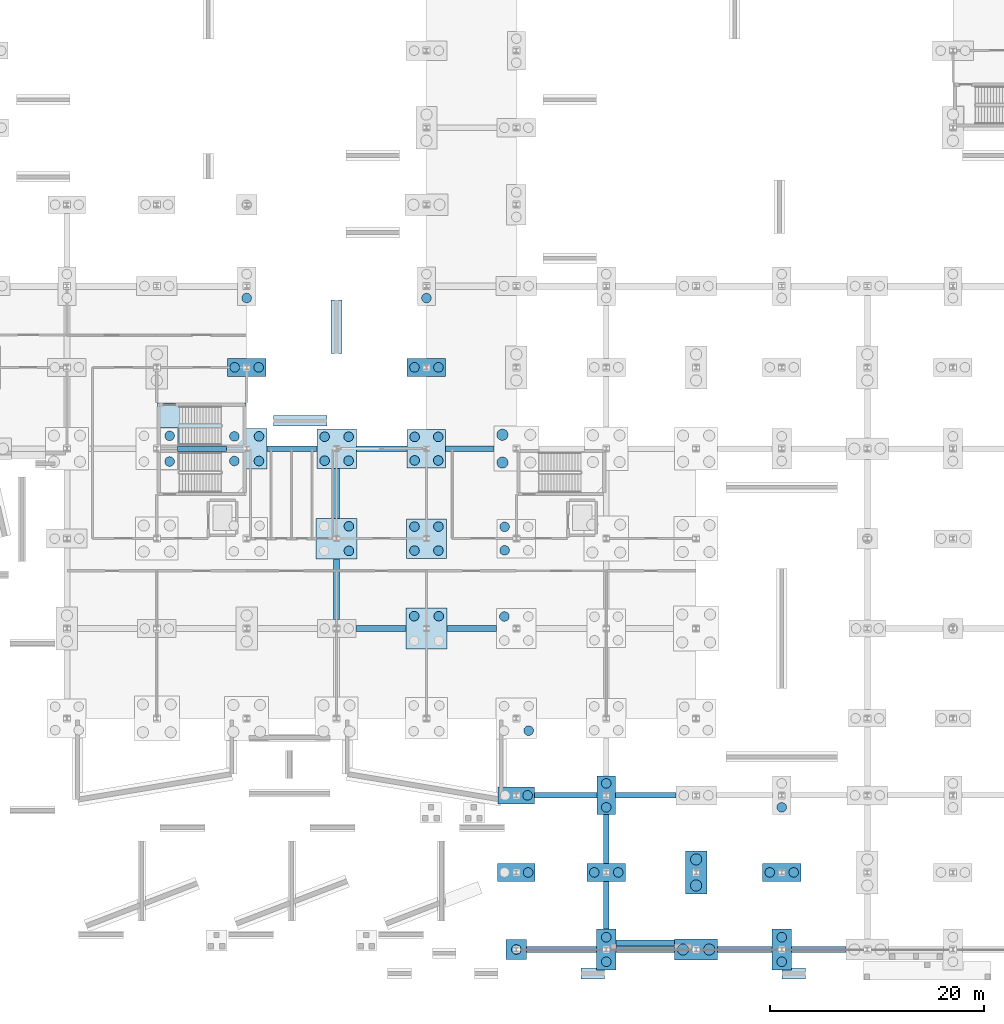
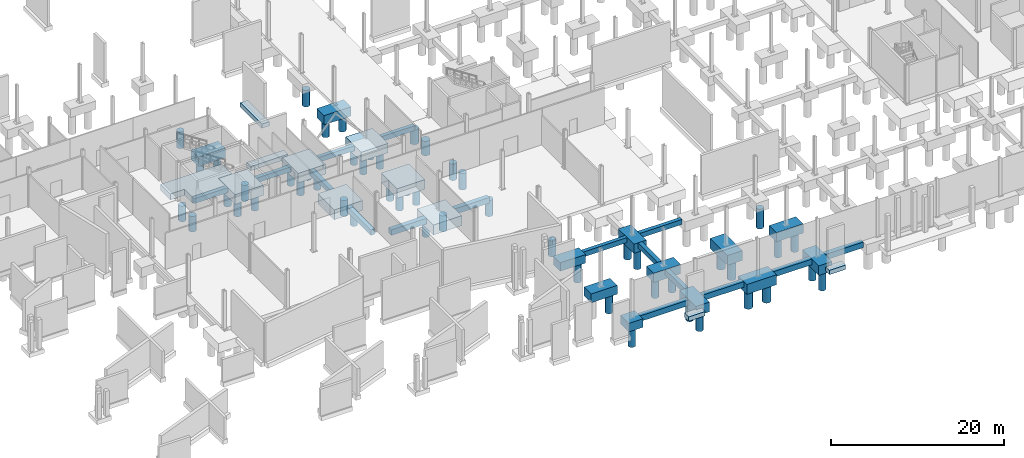
# One storey, part 3 of 61: 52 piles, 40 footings.
"""IFC4 building model written with IfcOpenShell, lengths in metres."""

from ifc_helpers import new_model, si_unit, direction, frame, origin, origin_2d, place, context, subcontext, project, spatial, polyline, rectangle, circle, outline, extrude, material, material_profile, profile_set, type_object, element, save


model = new_model("IFC4")

# Units and contexts
model_context = context("Model", 3, precision=1e-05, world=origin(), true_north=direction((0.0, 1.0)))
body_context = subcontext(model_context, "Body", "Model", "MODEL_VIEW")
ifc_project = project(units=[si_unit("LENGTHUNIT", "METRE"), si_unit("AREAUNIT", "SQUARE_METRE"), si_unit("VOLUMEUNIT", "CUBIC_METRE"), si_unit("PLANEANGLEUNIT", "RADIAN"), si_unit("MASSUNIT", "GRAM", prefix="KILO")], contexts=[model_context])

# Site, building, storey
site_placement = place(None, origin())
site = spatial("IfcSite", under=ifc_project, at=site_placement, CompositionType="ELEMENT")
building_placement = place(site_placement, origin())
building = spatial("IfcBuilding", under=site, at=building_placement, Name="Calvrana Isthmian Art Gallery", CompositionType="ELEMENT")
storey_placement = place(building_placement, frame((0.0, 0.0, -5.39990234375)))
storey = spatial("IfcBuildingStorey", under=building, at=storey_placement, Name="B1", CompositionType="ELEMENT", Elevation=-5.39990234375)

# Footings
ifc_material_1 = material(Name="Concrete C40/50", Category="concrete")
footing_type_1 = type_object("IfcFootingType", Name="FT-MAT-CORE", PredefinedType="PAD_FOOTING", material=ifc_material_1)
footing_1_placement = place(storey_placement, frame((0.0, 0.0, -1.300048828125)))
element("IfcFooting", 1, at=footing_1_placement, inside=storey, type_object=footing_type_1, Name="Core C7 mat footing", PredefinedType="PAD_FOOTING", context=body_context, shape_type="SweptSolid", body=[
    extrude(outline(polyline([(38.320068359375, 51.050048828125), (38.320068359375, 48.739990234375), (36.4599609375, 48.739990234375), (36.4599609375, 46.8798828125), (31.989990234375, 46.8798828125), (31.989990234375, 48.7900390625), (30.080078125, 48.7900390625), (30.080078125, 51.050048828125), (38.320068359375, 51.050048828125)])), origin(), (0.0, 0.0, 1.0), 0.849853515625),
])
ifc_material_2 = material(Name="Concrete C35/45", Category="concrete")
footing_type_2 = type_object("IfcFootingType", Name="FT-PC-170X360X130", PredefinedType="PILE_CAP", material=ifc_material_2)
footing_2_placement = place(storey_placement, frame((72.0, 14.39990234375, -1.30029296875), z_axis=(0.0, 0.0, 1.0), x_axis=(1.0, 0.0, 0.0)))
element("IfcFooting", 2, at=footing_2_placement, inside=storey, type_object=footing_type_2, Name="Pile cap 10/C", PredefinedType="PILE_CAP", context=body_context, shape_type="SweptSolid", body=[
    extrude(rectangle(XDim=1.699951171875, YDim=3.60009765625, at=origin_2d()), origin(), (0.0, 0.0, 1.0), 1.300048828125),
])
footing_type_3 = type_object("IfcFootingType", Name="FT-PC-180X380X135", PredefinedType="PILE_CAP", material=ifc_material_2)
for number, where, z_axis, x_axis, name in (
    (3, (72.0, 0.0, -1.35009765625), (0.0, 0.0, 1.0), (1.0, 0.0, 0.0), "Pile cap 10/A"),
    (4, (88.39990234375, 0.0, -1.35009765625), (0.0, 0.0, 1.0), (1.0, 0.0, 0.0), "Pile cap 12/A"),
):
    element("IfcFooting", number, at=place(storey_placement, frame(where, z_axis=z_axis, x_axis=x_axis)), inside=storey, type_object=footing_type_3, Name=name, PredefinedType="PILE_CAP", context=body_context, shape_type="SweptSolid", body=[
        extrude(rectangle(XDim=1.800048828125, YDim=3.800048828125, at=origin_2d()), origin(), (0.0, 0.0, 1.0), 1.35009765625),
    ])
footing_type_4 = type_object("IfcFootingType", Name="FT-PC-190X190X120", PredefinedType="PILE_CAP", material=ifc_material_2)
footing_3_placement = place(storey_placement, frame((63.60009765625, 0.0, -1.2001953125), z_axis=(0.0, 0.0, 1.0), x_axis=(1.0, 0.0, 0.0)))
element("IfcFooting", 5, at=footing_3_placement, inside=storey, type_object=footing_type_4, Name="Pile cap 09/A", PredefinedType="PILE_CAP", context=body_context, shape_type="SweptSolid", body=[
    extrude(rectangle(XDim=1.89990234375, YDim=1.89990234375, at=origin_2d()), origin(), (0.0, 0.0, 1.0), 1.199951171875),
])
footing_type_5 = type_object("IfcFootingType", Name="FT-PC-200X400X140", PredefinedType="PILE_CAP", material=ifc_material_2)
footing_4_placement = place(storey_placement, frame((80.39990234375, 7.199951171875, -1.400146484375), z_axis=(0.0, 0.0, 1.0), x_axis=(1.0, 0.0, 0.0)))
element("IfcFooting", 6, at=footing_4_placement, inside=storey, type_object=footing_type_5, Name="Pile cap 11/B", PredefinedType="PILE_CAP", context=body_context, shape_type="SweptSolid", body=[
    extrude(rectangle(XDim=2.0, YDim=4.0, at=origin_2d()), origin(), (0.0, 0.0, 1.0), 1.39990234375),
])
footing_type_6 = type_object("IfcFootingType", Name="FT-PC-340X160X120", PredefinedType="PILE_CAP", material=ifc_material_2)
footing_5_placement = place(storey_placement, frame((63.60009765625, 14.39990234375, -1.2001953125), z_axis=(0.0, 0.0, 1.0), x_axis=(1.0, 0.0, 0.0)))
element("IfcFooting", 7, at=footing_5_placement, inside=storey, type_object=footing_type_6, Name="Pile cap 09/C", PredefinedType="PILE_CAP", context=body_context, shape_type="SweptSolid", body=[
    extrude(rectangle(XDim=3.39990234375, YDim=1.60009765625, at=origin_2d()), origin(), (0.0, 0.0, 1.0), 1.199951171875),
])
footing_type_7 = type_object("IfcFootingType", Name="FT-PC-350X165X125", PredefinedType="PILE_CAP", material=ifc_material_2)
footing_6_placement = place(storey_placement, frame((63.60009765625, 7.199951171875, -1.25), z_axis=(0.0, 0.0, 1.0), x_axis=(1.0, 0.0, 0.0)))
element("IfcFooting", 8, at=footing_6_placement, inside=storey, type_object=footing_type_7, Name="Pile cap 09/B", PredefinedType="PILE_CAP", context=body_context, shape_type="SweptSolid", body=[
    extrude(rectangle(XDim=3.5, YDim=1.64990234375, at=origin_2d()), origin(), (0.0, 0.0, 1.0), 1.25),
])
footing_type_8 = type_object("IfcFootingType", Name="FT-PC-360X170X130", PredefinedType="PILE_CAP", material=ifc_material_2)
for number, where, z_axis, x_axis, name in (
    (9, (38.39990234375, 54.39990234375, -1.75), (0.0, 0.0, 1.0), (1.0, 0.0, 0.0), "Pile cap 06/H"),
    (10, (55.199951171875, 54.39990234375, -1.75), (0.0, 0.0, 1.0), (1.0, 0.0, 0.0), "Pile cap 08/H"),
    (11, (72.0, 7.199951171875, -1.30029296875), (0.0, 0.0, 1.0), (1.0, 0.0, 0.0), "Pile cap 10/B"),
    (12, (88.39990234375, 7.199951171875, -1.30029296875), (0.0, 0.0, 1.0), (1.0, 0.0, 0.0), "Pile cap 12/B"),
):
    element("IfcFooting", number, at=place(storey_placement, frame(where, z_axis=z_axis, x_axis=x_axis)), inside=storey, type_object=footing_type_8, Name=name, PredefinedType="PILE_CAP", context=body_context, shape_type="SweptSolid", body=[
        extrude(rectangle(XDim=3.60009765625, YDim=1.699951171875, at=origin_2d()), origin(), (0.0, 0.0, 1.0), 1.300048828125),
    ])
footing_type_9 = type_object("IfcFootingType", Name="FT-PC-360X360X130", PredefinedType="PILE_CAP", material=ifc_material_2)
footing_7_placement = place(storey_placement, frame((55.199951171875, 46.800048828125, -1.75), z_axis=(0.0, 0.0, 1.0), x_axis=(1.0, 0.0, 0.0)))
element("IfcFooting", 13, at=footing_7_placement, inside=storey, type_object=footing_type_9, Name="Pile cap 08/G", PredefinedType="PILE_CAP", context=body_context, shape_type="SweptSolid", body=[
    extrude(rectangle(XDim=3.60009765625, YDim=3.60009765625, at=origin_2d()), origin(), (0.0, 0.0, 1.0), 1.300048828125),
])
footing_type_10 = type_object("IfcFootingType", Name="FT-PC-370X370X135", PredefinedType="PILE_CAP", material=ifc_material_2)
for number, where, z_axis, x_axis, name in (
    (14, (46.800048828125, 46.800048828125, -1.800048828125), (0.0, 0.0, 1.0), (1.0, 0.0, 0.0), "Pile cap 07/G"),
    (15, (55.199951171875, 38.39990234375, -1.800048828125), (0.0, 0.0, 1.0), (1.0, 0.0, 0.0), "Pile cap 08/F"),
):
    element("IfcFooting", number, at=place(storey_placement, frame(where, z_axis=z_axis, x_axis=x_axis)), inside=storey, type_object=footing_type_10, Name=name, PredefinedType="PILE_CAP", context=body_context, shape_type="SweptSolid", body=[
        extrude(rectangle(XDim=3.699951171875, YDim=3.699951171875, at=origin_2d()), origin(), (0.0, 0.0, 1.0), 1.35009765625),
    ])
footing_type_11 = type_object("IfcFootingType", Name="FT-PC-380X380X140", PredefinedType="PILE_CAP", material=ifc_material_2)
for number, where, z_axis, x_axis, name in (
    (16, (38.39990234375, 46.800048828125, -1.85009765625), (0.0, 0.0, 1.0), (1.0, 0.0, 0.0), "Pile cap 06/G"),
    (17, (46.800048828125, 38.39990234375, -1.85009765625), (0.0, 0.0, 1.0), (1.0, 0.0, 0.0), "Pile cap 07/F"),
    (18, (55.199951171875, 30.0, -1.85009765625), (0.0, 0.0, 1.0), (1.0, 0.0, 0.0), "Pile cap 08/E"),
):
    element("IfcFooting", number, at=place(storey_placement, frame(where, z_axis=z_axis, x_axis=x_axis)), inside=storey, type_object=footing_type_11, Name=name, PredefinedType="PILE_CAP", context=body_context, shape_type="SweptSolid", body=[
        extrude(rectangle(XDim=3.800048828125, YDim=3.800048828125, at=origin_2d()), origin(), (0.0, 0.0, 1.0), 1.39990234375),
    ])
footing_type_12 = type_object("IfcFootingType", Name="FT-PC-400X200X140", PredefinedType="PILE_CAP", material=ifc_material_2)
footing_8_placement = place(storey_placement, frame((80.39990234375, 0.0, -1.400146484375), z_axis=(0.0, 0.0, 1.0), x_axis=(1.0, 0.0, 0.0)))
element("IfcFooting", 19, at=footing_8_placement, inside=storey, type_object=footing_type_12, Name="Pile cap 11/A", PredefinedType="PILE_CAP", context=body_context, shape_type="SweptSolid", body=[
    extrude(rectangle(XDim=4.0, YDim=2.0, at=origin_2d()), origin(), (0.0, 0.0, 1.0), 1.39990234375),
])
footing_type_13 = type_object("IfcFootingType", Name="FT-SF-1000X600", PredefinedType="STRIP_FOOTING", material=ifc_material_2)
footing_9_placement = place(storey_placement, frame((0.0, 0.0, -1.050048828125)))
element("IfcFooting", 20, at=footing_9_placement, inside=storey, type_object=footing_type_13, Name="Apron grade wall SLB_CYD_NC_SW-A strip footing", PredefinedType="STRIP_FOOTING", context=body_context, shape_type="SweptSolid", body=[
    extrude(outline(polyline([(40.89990234375, 48.89990234375), (45.89990234375, 48.89990234375), (45.89990234375, 49.89990234375), (40.89990234375, 49.89990234375), (40.89990234375, 48.89990234375)])), origin(), (0.0, 0.0, 1.0), 0.599853515625),
])
footing_10_placement = place(storey_placement, frame((0.0, 0.0, -1.050048828125)))
element("IfcFooting", 21, at=footing_10_placement, inside=storey, type_object=footing_type_13, Name="Apron grade wall SLB_CYD_NC_SW-C strip footing", PredefinedType="STRIP_FOOTING", context=body_context, shape_type="SweptSolid", body=[
    extrude(outline(polyline([(47.300048828125, 55.699951171875), (47.300048828125, 60.699951171875), (46.300048828125, 60.699951171875), (46.300048828125, 55.699951171875), (47.300048828125, 55.699951171875)])), origin(), (0.0, 0.0, 1.0), 0.599853515625),
])
footing_11_placement = place(storey_placement, frame((0.0, 0.0, -1.050048828125)))
element("IfcFooting", 22, at=footing_11_placement, inside=storey, type_object=footing_type_13, Name="Apron grade wall SLB_APR_SE_W-A strip footing", PredefinedType="STRIP_FOOTING", context=body_context, shape_type="SweptSolid", body=[
    extrude(outline(polyline([(71.827880859375, -2.75), (69.6279296875, -2.75), (69.6279296875, -1.75), (71.0849609375, -1.75), (71.0849609375, -1.9150390625), (71.827880859375, -1.9150390625), (71.827880859375, -2.75)])), origin(), (0.0, 0.0, 1.0), 0.599853515625),
])
footing_12_placement = place(storey_placement, frame((0.0, 0.0, -1.050048828125)))
element("IfcFooting", 23, at=footing_12_placement, inside=storey, type_object=footing_type_13, Name="Apron grade wall SLB_APR_SE_W-C strip footing", PredefinedType="STRIP_FOOTING", context=body_context, shape_type="SweptSolid", body=[
    extrude(outline(polyline([(90.6201171875, -1.75), (90.6201171875, -2.75), (88.419921875, -2.75), (88.419921875, -1.9150390625), (89.31494140625, -1.9150390625), (89.31494140625, -1.75), (90.6201171875, -1.75)])), origin(), (0.0, 0.0, 1.0), 0.599853515625),
])
footing_type_14 = type_object("IfcFootingType", Name="FT-SF-1200X650", PredefinedType="STRIP_FOOTING", material=ifc_material_2)
footing_13_placement = place(storey_placement, frame((0.0, 0.0, -1.10009765625)))
element("IfcFooting", 24, at=footing_13_placement, inside=storey, type_object=footing_type_14, Name="Hillside plinth retaining wall RW_B1_V2S strip footing", PredefinedType="STRIP_FOOTING", context=body_context, shape_type="SweptSolid", body=[
    extrude(outline(polyline([(72.9150390625, 0.89990234375), (78.385009765625, 0.89990234375), (78.385009765625, 0.31494140625), (72.9150390625, 0.31494140625), (72.9150390625, 0.89990234375)])), origin(), (0.0, 0.0, 1.0), 0.64990234375),
])
footing_type_15 = type_object("IfcFootingType", Name="FT-TB-500X700", PredefinedType="FOOTING_BEAM", material=ifc_material_2)
footing_14_placement = place(storey_placement, frame((0.0, 0.0, -1.150146484375)))
element("IfcFooting", 25, at=footing_14_placement, inside=storey, type_object=footing_type_15, Name="Footing tie beam X 04-06", PredefinedType="FOOTING_BEAM", context=body_context, shape_type="SweptSolid", body=[
    extrude(outline(polyline([(31.949951171875, 46.550048828125), (36.5, 46.550048828125), (36.5, 47.050048828125), (31.949951171875, 47.050048828125), (31.949951171875, 46.550048828125)])), origin(), (0.0, 0.0, 1.0), 0.699951171875),
])
footing_15_placement = place(storey_placement, frame((0.0, 0.0, -1.150146484375)))
element("IfcFooting", 26, at=footing_15_placement, inside=storey, type_object=footing_type_15, Name="Footing tie beam X 05-06", PredefinedType="FOOTING_BEAM", context=body_context, shape_type="SweptSolid", body=[
    extrude(outline(polyline([(40.300048828125, 46.550048828125), (44.949951171875, 46.550048828125), (44.949951171875, 47.050048828125), (40.300048828125, 47.050048828125), (40.300048828125, 46.550048828125)])), origin(), (0.0, 0.0, 1.0), 0.699951171875),
])
footing_16_placement = place(storey_placement, frame((0.0, 0.0, -1.150146484375)))
element("IfcFooting", 27, at=footing_16_placement, inside=storey, type_object=footing_type_15, Name="Footing tie beam X 06-06", PredefinedType="FOOTING_BEAM", context=body_context, shape_type="SweptSolid", body=[
    extrude(outline(polyline([(48.64990234375, 46.550048828125), (53.39990234375, 46.550048828125), (53.39990234375, 47.050048828125), (48.64990234375, 47.050048828125), (48.64990234375, 46.550048828125)])), origin(), (0.0, 0.0, 1.0), 0.699951171875),
])
footing_17_placement = place(storey_placement, frame((0.0, 0.0, -1.150146484375)))
element("IfcFooting", 28, at=footing_17_placement, inside=storey, type_object=footing_type_15, Name="Footing tie beam X 07-06", PredefinedType="FOOTING_BEAM", context=body_context, shape_type="SweptSolid", body=[
    extrude(outline(polyline([(57.0, 46.550048828125), (61.5, 46.550048828125), (61.5, 47.050048828125), (57.0, 47.050048828125), (57.0, 46.550048828125)])), origin(), (0.0, 0.0, 1.0), 0.699951171875),
])
footing_18_placement = place(storey_placement, frame((0.0, 0.0, -0.7001953125)))
element("IfcFooting", 29, at=footing_18_placement, inside=storey, type_object=footing_type_15, Name="Footing tie beam X 08-02", PredefinedType="FOOTING_BEAM", context=body_context, shape_type="SweptSolid", body=[
    extrude(outline(polyline([(65.300048828125, 14.14990234375), (71.14990234375, 14.14990234375), (71.14990234375, 14.64990234375), (65.300048828125, 14.64990234375), (65.300048828125, 14.14990234375)])), origin(), (0.0, 0.0, 1.0), 0.7001953125),
])
footing_19_placement = place(storey_placement, frame((0.0, 0.0, -0.7001953125)))
element("IfcFooting", 30, at=footing_19_placement, inside=storey, type_object=footing_type_15, Name="Footing tie beam X 09-02", PredefinedType="FOOTING_BEAM", context=body_context, shape_type="SweptSolid", body=[
    extrude(outline(polyline([(72.85009765625, 14.14990234375), (78.5, 14.14990234375), (78.5, 14.64990234375), (72.85009765625, 14.64990234375), (72.85009765625, 14.14990234375)])), origin(), (0.0, 0.0, 1.0), 0.7001953125),
])
footing_type_16 = type_object("IfcFootingType", Name="FT-TB-550X750", PredefinedType="FOOTING_BEAM", material=ifc_material_2)
footing_20_placement = place(storey_placement, frame((0.0, 0.0, -1.2001953125)))
element("IfcFooting", 31, at=footing_20_placement, inside=storey, type_object=footing_type_16, Name="Footing tie beam Y 06-04", PredefinedType="FOOTING_BEAM", context=body_context, shape_type="SweptSolid", body=[
    extrude(outline(polyline([(46.52490234375, 30.85009765625), (47.074951171875, 30.85009765625), (47.074951171875, 36.5), (46.52490234375, 36.5), (46.52490234375, 30.85009765625)])), origin(), (0.0, 0.0, 1.0), 0.75),
])
footing_21_placement = place(storey_placement, frame((0.0, 0.0, -1.2001953125)))
element("IfcFooting", 32, at=footing_21_placement, inside=storey, type_object=footing_type_16, Name="Footing tie beam Y 06-05", PredefinedType="FOOTING_BEAM", context=body_context, shape_type="SweptSolid", body=[
    extrude(outline(polyline([(46.52490234375, 40.300048828125), (47.074951171875, 40.300048828125), (47.074951171875, 44.949951171875), (46.52490234375, 44.949951171875), (46.52490234375, 40.300048828125)])), origin(), (0.0, 0.0, 1.0), 0.75),
])
footing_22_placement = place(storey_placement, frame((0.0, 0.0, -0.75)))
element("IfcFooting", 33, at=footing_22_placement, inside=storey, type_object=footing_type_16, Name="Footing tie beam Y 09-00", PredefinedType="FOOTING_BEAM", context=body_context, shape_type="SweptSolid", body=[
    extrude(outline(polyline([(71.72509765625, 1.89990234375), (72.27490234375, 1.89990234375), (72.27490234375, 6.35009765625), (71.72509765625, 6.35009765625), (71.72509765625, 1.89990234375)])), origin(), (0.0, 0.0, 1.0), 0.75),
])
footing_23_placement = place(storey_placement, frame((0.0, 0.0, -0.75)))
element("IfcFooting", 34, at=footing_23_placement, inside=storey, type_object=footing_type_16, Name="Footing tie beam Y 09-01", PredefinedType="FOOTING_BEAM", context=body_context, shape_type="SweptSolid", body=[
    extrude(outline(polyline([(71.72509765625, 8.050048828125), (72.27490234375, 8.050048828125), (72.27490234375, 12.60009765625), (71.72509765625, 12.60009765625), (71.72509765625, 8.050048828125)])), origin(), (0.0, 0.0, 1.0), 0.75),
])
footing_type_17 = type_object("IfcFootingType", Name="FT-TB-600X800", PredefinedType="FOOTING_BEAM", material=ifc_material_2)
footing_24_placement = place(storey_placement, frame((0.0, 0.0, -1.25)))
element("IfcFooting", 35, at=footing_24_placement, inside=storey, type_object=footing_type_17, Name="Footing tie beam X 06-04", PredefinedType="FOOTING_BEAM", context=body_context, shape_type="SweptSolid", body=[
    extrude(outline(polyline([(48.60009765625, 29.699951171875), (53.300048828125, 29.699951171875), (53.300048828125, 30.300048828125), (48.60009765625, 30.300048828125), (48.60009765625, 29.699951171875)])), origin(), (0.0, 0.0, 1.0), 0.7998046875),
])
footing_25_placement = place(storey_placement, frame((0.0, 0.0, -1.25)))
element("IfcFooting", 36, at=footing_25_placement, inside=storey, type_object=footing_type_17, Name="Footing tie beam X 07-04", PredefinedType="FOOTING_BEAM", context=body_context, shape_type="SweptSolid", body=[
    extrude(outline(polyline([(57.10009765625, 29.699951171875), (61.75, 29.699951171875), (61.75, 30.300048828125), (57.10009765625, 30.300048828125), (57.10009765625, 29.699951171875)])), origin(), (0.0, 0.0, 1.0), 0.7998046875),
])
footing_26_placement = place(storey_placement, frame((0.0, 0.0, -0.800048828125)))
element("IfcFooting", 37, at=footing_26_placement, inside=storey, type_object=footing_type_17, Name="Footing tie beam X 08-00", PredefinedType="FOOTING_BEAM", context=body_context, shape_type="SweptSolid", body=[
    extrude(outline(polyline([(64.550048828125, -0.300048828125), (71.10009765625, -0.300048828125), (71.10009765625, 0.300048828125), (64.550048828125, 0.300048828125), (64.550048828125, -0.300048828125)])), origin(), (0.0, 0.0, 1.0), 0.800048828125),
])
footing_27_placement = place(storey_placement, frame((0.0, 0.0, -0.800048828125)))
element("IfcFooting", 38, at=footing_27_placement, inside=storey, type_object=footing_type_17, Name="Footing tie beam X 09-00", PredefinedType="FOOTING_BEAM", context=body_context, shape_type="SweptSolid", body=[
    extrude(outline(polyline([(72.89990234375, -0.300048828125), (78.39990234375, -0.300048828125), (78.39990234375, 0.300048828125), (72.89990234375, 0.300048828125), (72.89990234375, -0.300048828125)])), origin(), (0.0, 0.0, 1.0), 0.800048828125),
])
footing_28_placement = place(storey_placement, frame((0.0, 0.0, -0.800048828125)))
element("IfcFooting", 39, at=footing_28_placement, inside=storey, type_object=footing_type_17, Name="Footing tie beam X 10-00", PredefinedType="FOOTING_BEAM", context=body_context, shape_type="SweptSolid", body=[
    extrude(outline(polyline([(82.39990234375, -0.300048828125), (87.5, -0.300048828125), (87.5, 0.300048828125), (82.39990234375, 0.300048828125), (82.39990234375, -0.300048828125)])), origin(), (0.0, 0.0, 1.0), 0.800048828125),
])
footing_29_placement = place(storey_placement, frame((0.0, 0.0, -0.800048828125)))
element("IfcFooting", 40, at=footing_29_placement, inside=storey, type_object=footing_type_17, Name="Footing tie beam X 11-00", PredefinedType="FOOTING_BEAM", context=body_context, shape_type="SweptSolid", body=[
    extrude(outline(polyline([(89.300048828125, -0.300048828125), (94.39990234375, -0.300048828125), (94.39990234375, 0.300048828125), (89.300048828125, 0.300048828125), (89.300048828125, -0.300048828125)])), origin(), (0.0, 0.0, 1.0), 0.800048828125),
])

# Piles
ifc_material_profile_1 = material_profile(ifc_material_2, circle(Radius=0.52490234375, at=origin_2d()), Name="PILE1050D")
ifc_profile_set_1 = profile_set([ifc_material_profile_1], Name="Concrete C35/45")
pile_type_1 = type_object("IfcPileType", Name="PILE-D1050", PredefinedType="BORED", material=ifc_profile_set_1)
for number, where, z_axis, x_axis, name in (
    (41, (62.300048828125, 45.5, -1.9501953125), (0.0, 0.0, -1.0), (1.0, 0.0, 0.0), "Bored pile PL-202"),
    (42, (62.300048828125, 48.10009765625, -1.9501953125), (0.0, 0.0, -1.0), (1.0, 0.0, 0.0), "Bored pile PL-204"),
):
    element("IfcPile", number, at=place(storey_placement, frame(where, z_axis=z_axis, x_axis=x_axis)), inside=storey, type_object=pile_type_1, Name=name, PredefinedType="BORED", context=body_context, shape_type="SweptSolid", body=[
        extrude(circle(Radius=0.52490234375, at=origin_2d()), origin(), (0.0, 0.0, 1.0), 2.050048828125),
    ])
for number, where, z_axis, x_axis, name in (
    (43, (79.179931640625, 0.0, -1.300048828125), (0.0, 0.0, -1.0), (1.0, 0.0, 0.0), "Bored pile PL-255"),
    (44, (81.6201171875, 0.0, -1.300048828125), (0.0, 0.0, -1.0), (1.0, 0.0, 0.0), "Bored pile PL-256"),
    (45, (80.39990234375, 5.97998046875, -1.300048828125), (0.0, 0.0, -1.0), (1.0, 0.0, 0.0), "Bored pile PL-257"),
    (46, (80.39990234375, 8.419921875, -1.300048828125), (0.0, 0.0, -1.0), (1.0, 0.0, 0.0), "Bored pile PL-258"),
):
    element("IfcPile", number, at=place(storey_placement, frame(where, z_axis=z_axis, x_axis=x_axis)), inside=storey, type_object=pile_type_1, Name=name, PredefinedType="BORED", context=body_context, shape_type="SweptSolid", body=[
        extrude(circle(Radius=0.52490234375, at=origin_2d()), origin(), (0.0, 0.0, 1.0), 2.699951171875),
    ])
ifc_material_profile_2 = material_profile(ifc_material_2, circle(Radius=0.449951171875, at=origin_2d()), Name="PILE900D")
ifc_profile_set_2 = profile_set([ifc_material_profile_2], Name="Concrete C35/45")
pile_type_2 = type_object("IfcPileType", Name="PILE-D900", PredefinedType="BORED", material=ifc_profile_set_2)
for number, where, z_axis, x_axis, name in (
    (47, (31.199951171875, 45.60009765625, -1.800048828125), (0.0, 0.0, -1.0), (1.0, 0.0, 0.0), "Bored pile PL-091"),
    (48, (31.199951171875, 48.0, -1.800048828125), (0.0, 0.0, -1.0), (1.0, 0.0, 0.0), "Bored pile PL-093"),
):
    element("IfcPile", number, at=place(storey_placement, frame(where, z_axis=z_axis, x_axis=x_axis)), inside=storey, type_object=pile_type_2, Name=name, PredefinedType="BORED", context=body_context, shape_type="SweptSolid", body=[
        extrude(circle(Radius=0.449951171875, at=origin_2d()), origin(), (0.0, 0.0, 1.0), 2.199951171875),
    ])
for number, where, z_axis, x_axis, name in (
    (49, (37.25, 45.64990234375, -1.75), (0.0, 0.0, -1.0), (1.0, 0.0, 0.0), "Bored pile PL-116"),
    (50, (39.550048828125, 45.64990234375, -1.75), (0.0, 0.0, -1.0), (1.0, 0.0, 0.0), "Bored pile PL-117"),
    (51, (37.25, 47.949951171875, -1.75), (0.0, 0.0, -1.0), (1.0, 0.0, 0.0), "Bored pile PL-118"),
    (52, (39.550048828125, 47.949951171875, -1.75), (0.0, 0.0, -1.0), (1.0, 0.0, 0.0), "Bored pile PL-119"),
):
    element("IfcPile", number, at=place(storey_placement, frame(where, z_axis=z_axis, x_axis=x_axis)), inside=storey, type_object=pile_type_2, Name=name, PredefinedType="BORED", context=body_context, shape_type="SweptSolid", body=[
        extrude(circle(Radius=0.449951171875, at=origin_2d()), origin(), (0.0, 0.0, 1.0), 2.25),
    ])
for number, where, z_axis, x_axis, name in (
    (53, (37.280029296875, 54.39990234375, -1.650146484375), (0.0, 0.0, -1.0), (1.0, 0.0, 0.0), "Bored pile PL-120"),
    (54, (39.52001953125, 54.39990234375, -1.650146484375), (0.0, 0.0, -1.0), (1.0, 0.0, 0.0), "Bored pile PL-121"),
    (55, (38.39990234375, 60.8798828125, -1.650146484375), (0.0, 0.0, -1.0), (1.0, 0.0, 0.0), "Bored pile PL-122"),
):
    element("IfcPile", number, at=place(storey_placement, frame(where, z_axis=z_axis, x_axis=x_axis)), inside=storey, type_object=pile_type_2, Name=name, PredefinedType="BORED", context=body_context, shape_type="SweptSolid", body=[
        extrude(circle(Radius=0.449951171875, at=origin_2d()), origin(), (0.0, 0.0, 1.0), 2.35009765625),
    ])
for number, where, z_axis, x_axis, name in (
    (56, (47.949951171875, 37.25, -1.75), (0.0, 0.0, -1.0), (1.0, 0.0, 0.0), "Bored pile PL-138"),
    (57, (47.949951171875, 39.550048828125, -1.75), (0.0, 0.0, -1.0), (1.0, 0.0, 0.0), "Bored pile PL-140"),
):
    element("IfcPile", number, at=place(storey_placement, frame(where, z_axis=z_axis, x_axis=x_axis)), inside=storey, type_object=pile_type_2, Name=name, PredefinedType="BORED", context=body_context, shape_type="SweptSolid", body=[
        extrude(circle(Radius=0.449951171875, at=origin_2d()), origin(), (0.0, 0.0, 1.0), 2.25),
    ])
for number, where, z_axis, x_axis, name in (
    (58, (45.679931640625, 45.679931640625, -1.7001953125), (0.0, 0.0, -1.0), (1.0, 0.0, 0.0), "Bored pile PL-141"),
    (59, (47.919921875, 45.679931640625, -1.7001953125), (0.0, 0.0, -1.0), (1.0, 0.0, 0.0), "Bored pile PL-142"),
    (60, (45.679931640625, 47.919921875, -1.7001953125), (0.0, 0.0, -1.0), (1.0, 0.0, 0.0), "Bored pile PL-143"),
    (61, (47.919921875, 47.919921875, -1.7001953125), (0.0, 0.0, -1.0), (1.0, 0.0, 0.0), "Bored pile PL-144"),
):
    element("IfcPile", number, at=place(storey_placement, frame(where, z_axis=z_axis, x_axis=x_axis)), inside=storey, type_object=pile_type_2, Name=name, PredefinedType="BORED", context=body_context, shape_type="SweptSolid", body=[
        extrude(circle(Radius=0.449951171875, at=origin_2d()), origin(), (0.0, 0.0, 1.0), 2.300048828125),
    ])
for number, where, z_axis, x_axis, name in (
    (62, (54.050048828125, 31.14990234375, -1.75), (0.0, 0.0, -1.0), (1.0, 0.0, 0.0), "Bored pile PL-157"),
    (63, (56.35009765625, 31.14990234375, -1.75), (0.0, 0.0, -1.0), (1.0, 0.0, 0.0), "Bored pile PL-158"),
):
    element("IfcPile", number, at=place(storey_placement, frame(where, z_axis=z_axis, x_axis=x_axis)), inside=storey, type_object=pile_type_2, Name=name, PredefinedType="BORED", context=body_context, shape_type="SweptSolid", body=[
        extrude(circle(Radius=0.449951171875, at=origin_2d()), origin(), (0.0, 0.0, 1.0), 2.25),
    ])
for number, where, z_axis, x_axis, name in (
    (64, (54.080078125, 37.280029296875, -1.7001953125), (0.0, 0.0, -1.0), (1.0, 0.0, 0.0), "Bored pile PL-159"),
    (65, (56.320068359375, 37.280029296875, -1.7001953125), (0.0, 0.0, -1.0), (1.0, 0.0, 0.0), "Bored pile PL-160"),
    (66, (54.080078125, 39.52001953125, -1.7001953125), (0.0, 0.0, -1.0), (1.0, 0.0, 0.0), "Bored pile PL-161"),
    (67, (56.320068359375, 39.52001953125, -1.7001953125), (0.0, 0.0, -1.0), (1.0, 0.0, 0.0), "Bored pile PL-162"),
):
    element("IfcPile", number, at=place(storey_placement, frame(where, z_axis=z_axis, x_axis=x_axis)), inside=storey, type_object=pile_type_2, Name=name, PredefinedType="BORED", context=body_context, shape_type="SweptSolid", body=[
        extrude(circle(Radius=0.449951171875, at=origin_2d()), origin(), (0.0, 0.0, 1.0), 2.300048828125),
    ])
for number, where, z_axis, x_axis, name in (
    (68, (54.10009765625, 45.699951171875, -1.650146484375), (0.0, 0.0, -1.0), (1.0, 0.0, 0.0), "Bored pile PL-163"),
    (69, (56.300048828125, 45.699951171875, -1.650146484375), (0.0, 0.0, -1.0), (1.0, 0.0, 0.0), "Bored pile PL-164"),
    (70, (54.10009765625, 47.89990234375, -1.650146484375), (0.0, 0.0, -1.0), (1.0, 0.0, 0.0), "Bored pile PL-165"),
    (71, (56.300048828125, 47.89990234375, -1.650146484375), (0.0, 0.0, -1.0), (1.0, 0.0, 0.0), "Bored pile PL-166"),
    (72, (54.080078125, 54.39990234375, -1.650146484375), (0.0, 0.0, -1.0), (1.0, 0.0, 0.0), "Bored pile PL-167"),
    (73, (56.320068359375, 54.39990234375, -1.650146484375), (0.0, 0.0, -1.0), (1.0, 0.0, 0.0), "Bored pile PL-168"),
    (74, (55.199951171875, 60.8798828125, -1.650146484375), (0.0, 0.0, -1.0), (1.0, 0.0, 0.0), "Bored pile PL-169"),
):
    element("IfcPile", number, at=place(storey_placement, frame(where, z_axis=z_axis, x_axis=x_axis)), inside=storey, type_object=pile_type_2, Name=name, PredefinedType="BORED", context=body_context, shape_type="SweptSolid", body=[
        extrude(circle(Radius=0.449951171875, at=origin_2d()), origin(), (0.0, 0.0, 1.0), 2.35009765625),
    ])
pile_1_placement = place(storey_placement, frame((63.60009765625, 0.0, -1.10009765625), z_axis=(0.0, 0.0, -1.0), x_axis=(1.0, 0.0, 0.0)))
element("IfcPile", 75, at=pile_1_placement, inside=storey, type_object=pile_type_2, Name="Bored pile PL-185", PredefinedType="BORED", context=body_context, shape_type="SweptSolid", body=[
    extrude(circle(Radius=0.449951171875, at=origin_2d()), origin(), (0.0, 0.0, 1.0), 2.89990234375),
])
pile_2_placement = place(storey_placement, frame((64.699951171875, 7.199951171875, -1.150146484375), z_axis=(0.0, 0.0, -1.0), x_axis=(1.0, 0.0, 0.0)))
element("IfcPile", 76, at=pile_2_placement, inside=storey, type_object=pile_type_2, Name="Bored pile PL-187", PredefinedType="BORED", context=body_context, shape_type="SweptSolid", body=[
    extrude(circle(Radius=0.449951171875, at=origin_2d()), origin(), (0.0, 0.0, 1.0), 2.85009765625),
])
pile_3_placement = place(storey_placement, frame((64.64990234375, 14.39990234375, -1.10009765625), z_axis=(0.0, 0.0, -1.0), x_axis=(1.0, 0.0, 0.0)))
element("IfcPile", 77, at=pile_3_placement, inside=storey, type_object=pile_type_2, Name="Bored pile PL-189", PredefinedType="BORED", context=body_context, shape_type="SweptSolid", body=[
    extrude(circle(Radius=0.449951171875, at=origin_2d()), origin(), (0.0, 0.0, 1.0), 2.89990234375),
])
pile_4_placement = place(storey_placement, frame((64.75, 20.449951171875, -1.75), z_axis=(0.0, 0.0, -1.0), x_axis=(1.0, 0.0, 0.0)))
element("IfcPile", 78, at=pile_4_placement, inside=storey, type_object=pile_type_2, Name="Bored pile PL-191", PredefinedType="BORED", context=body_context, shape_type="SweptSolid", body=[
    extrude(circle(Radius=0.449951171875, at=origin_2d()), origin(), (0.0, 0.0, 1.0), 2.25),
])
pile_5_placement = place(storey_placement, frame((62.47998046875, 31.1201171875, -1.7001953125), z_axis=(0.0, 0.0, -1.0), x_axis=(1.0, 0.0, 0.0)))
element("IfcPile", 79, at=pile_5_placement, inside=storey, type_object=pile_type_2, Name="Bored pile PL-196", PredefinedType="BORED", context=body_context, shape_type="SweptSolid", body=[
    extrude(circle(Radius=0.449951171875, at=origin_2d()), origin(), (0.0, 0.0, 1.0), 2.300048828125),
])
for number, where, z_axis, x_axis, name in (
    (80, (62.5, 37.300048828125, -1.650146484375), (0.0, 0.0, -1.0), (1.0, 0.0, 0.0), "Bored pile PL-198"),
    (81, (62.5, 39.5, -1.650146484375), (0.0, 0.0, -1.0), (1.0, 0.0, 0.0), "Bored pile PL-200"),
):
    element("IfcPile", number, at=place(storey_placement, frame(where, z_axis=z_axis, x_axis=x_axis)), inside=storey, type_object=pile_type_2, Name=name, PredefinedType="BORED", context=body_context, shape_type="SweptSolid", body=[
        extrude(circle(Radius=0.449951171875, at=origin_2d()), origin(), (0.0, 0.0, 1.0), 2.35009765625),
    ])
for number, where, z_axis, x_axis, name in (
    (82, (72.0, -1.14990234375, -1.25), (0.0, 0.0, -1.0), (1.0, 0.0, 0.0), "Bored pile PL-224"),
    (83, (72.0, 1.14990234375, -1.25), (0.0, 0.0, -1.0), (1.0, 0.0, 0.0), "Bored pile PL-225"),
):
    element("IfcPile", number, at=place(storey_placement, frame(where, z_axis=z_axis, x_axis=x_axis)), inside=storey, type_object=pile_type_2, Name=name, PredefinedType="BORED", context=body_context, shape_type="SweptSolid", body=[
        extrude(circle(Radius=0.449951171875, at=origin_2d()), origin(), (0.0, 0.0, 1.0), 2.75),
    ])
for number, where, z_axis, x_axis, name in (
    (84, (70.8798828125, 7.199951171875, -1.2001953125), (0.0, 0.0, -1.0), (1.0, 0.0, 0.0), "Bored pile PL-226"),
    (85, (73.1201171875, 7.199951171875, -1.2001953125), (0.0, 0.0, -1.0), (1.0, 0.0, 0.0), "Bored pile PL-227"),
    (86, (72.0, 13.280029296875, -1.2001953125), (0.0, 0.0, -1.0), (1.0, 0.0, 0.0), "Bored pile PL-228"),
    (87, (72.0, 15.52001953125, -1.2001953125), (0.0, 0.0, -1.0), (1.0, 0.0, 0.0), "Bored pile PL-229"),
):
    element("IfcPile", number, at=place(storey_placement, frame(where, z_axis=z_axis, x_axis=x_axis)), inside=storey, type_object=pile_type_2, Name=name, PredefinedType="BORED", context=body_context, shape_type="SweptSolid", body=[
        extrude(circle(Radius=0.449951171875, at=origin_2d()), origin(), (0.0, 0.0, 1.0), 2.800048828125),
    ])
for number, where, z_axis, x_axis, name in (
    (88, (88.39990234375, -1.14990234375, -1.25), (0.0, 0.0, -1.0), (1.0, 0.0, 0.0), "Bored pile PL-281"),
    (89, (88.39990234375, 1.14990234375, -1.25), (0.0, 0.0, -1.0), (1.0, 0.0, 0.0), "Bored pile PL-282"),
):
    element("IfcPile", number, at=place(storey_placement, frame(where, z_axis=z_axis, x_axis=x_axis)), inside=storey, type_object=pile_type_2, Name=name, PredefinedType="BORED", context=body_context, shape_type="SweptSolid", body=[
        extrude(circle(Radius=0.449951171875, at=origin_2d()), origin(), (0.0, 0.0, 1.0), 2.75),
    ])
for number, where, z_axis, x_axis, name in (
    (90, (87.280029296875, 7.199951171875, -1.2001953125), (0.0, 0.0, -1.0), (1.0, 0.0, 0.0), "Bored pile PL-283"),
    (91, (89.52001953125, 7.199951171875, -1.2001953125), (0.0, 0.0, -1.0), (1.0, 0.0, 0.0), "Bored pile PL-284"),
    (92, (88.39990234375, 13.280029296875, -1.2001953125), (0.0, 0.0, -1.0), (1.0, 0.0, 0.0), "Bored pile PL-285"),
):
    element("IfcPile", number, at=place(storey_placement, frame(where, z_axis=z_axis, x_axis=x_axis)), inside=storey, type_object=pile_type_2, Name=name, PredefinedType="BORED", context=body_context, shape_type="SweptSolid", body=[
        extrude(circle(Radius=0.449951171875, at=origin_2d()), origin(), (0.0, 0.0, 1.0), 2.800048828125),
    ])

save(model, "model.ifc")
